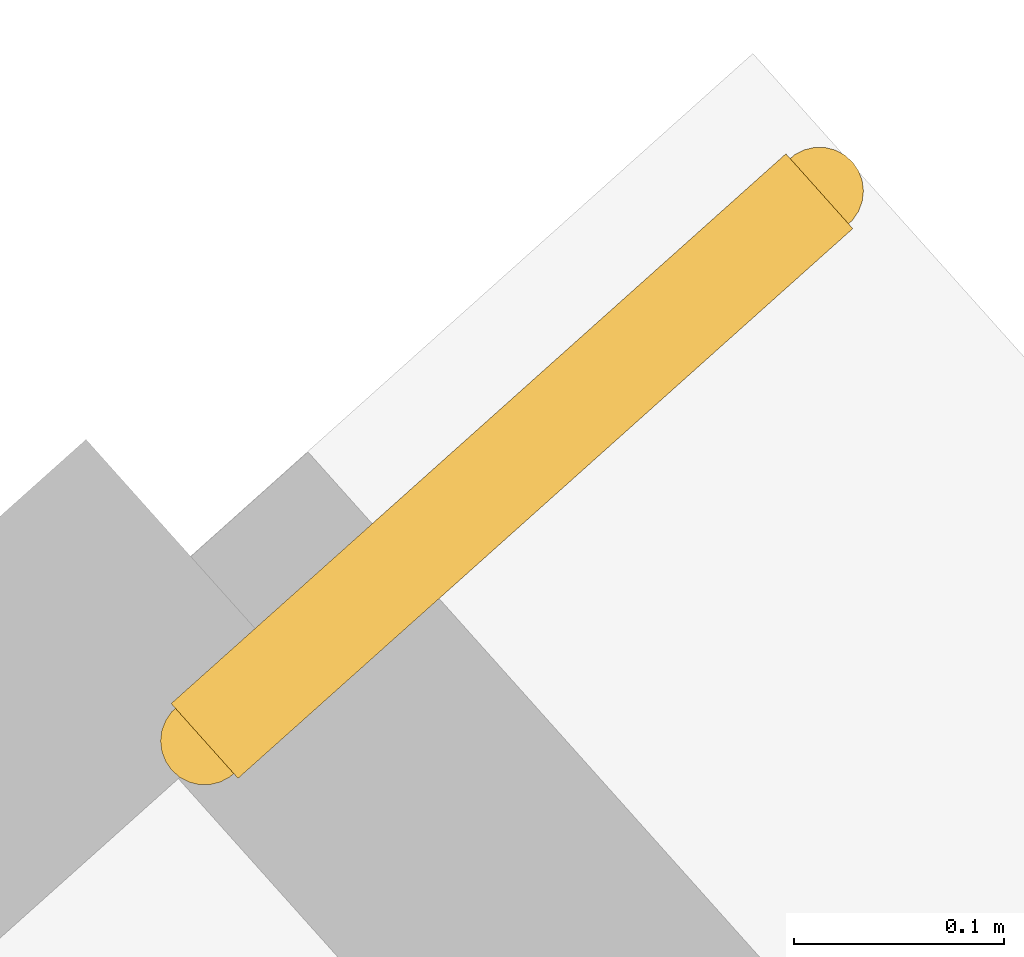
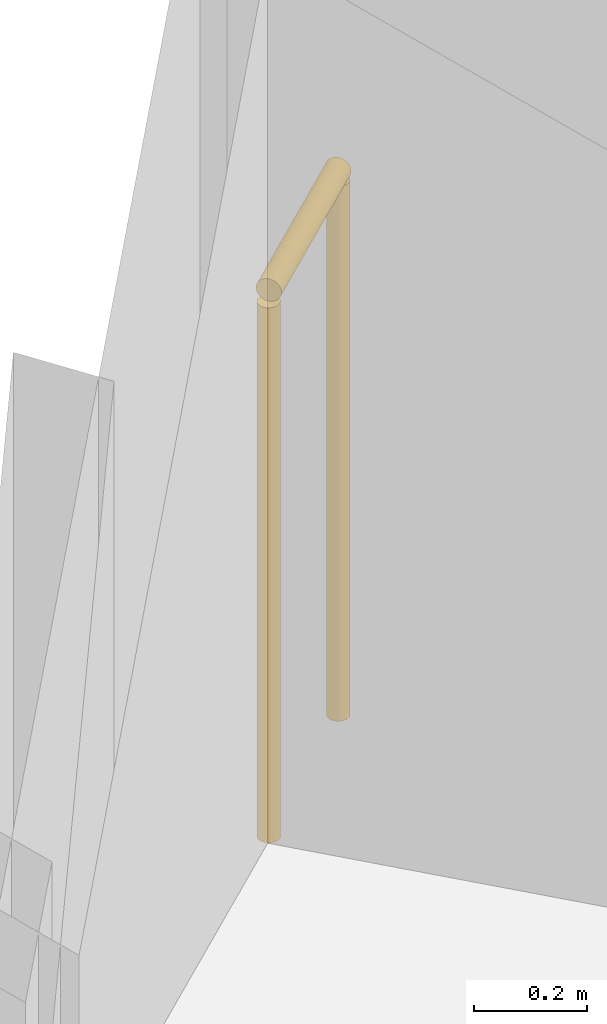
# One storey, part 14 of 14: 1 railing.
"""IFC4 building model written with IfcOpenShell, lengths in metres."""

from ifc_helpers import new_model, si_unit, direction, frame, origin, origin_2d, place, context, subcontext, project, spatial, circle, extrude, material, layer, layer_set, type_object, element, save


model = new_model("IFC4")

# Units and contexts
model_context = context("Model", 3, precision=1e-05, world=origin(), true_north=direction((0.0, 1.0)))
body_context = subcontext(model_context, "Body", "Model", "MODEL_VIEW")
ifc_project = project(units=[si_unit("LENGTHUNIT", "METRE"), si_unit("AREAUNIT", "SQUARE_METRE"), si_unit("VOLUMEUNIT", "CUBIC_METRE"), si_unit("PLANEANGLEUNIT", "RADIAN"), si_unit("MASSUNIT", "GRAM", prefix="KILO")], contexts=[model_context])

# Site, building, storey
site_placement = place(None, origin())
site = spatial("IfcSite", under=ifc_project, at=site_placement, CompositionType="ELEMENT")
building_placement = place(site_placement, origin())
building = spatial("IfcBuilding", under=site, at=building_placement, Name="Gaonmaruhae Medical Tower", CompositionType="ELEMENT")
storey_placement = place(building_placement, frame((0.0, 0.0, 201.800048828125)))
storey = spatial("IfcBuildingStorey", under=building, at=storey_placement, Name="L48", CompositionType="ELEMENT", Elevation=201.800048828125)

# Railing
ifc_material = material(Name="Stainless steel 316L and laminated safety glass", Category="steel")
ifc_layer = layer(ifc_material, 0.080078125)
ifc_layer_set = layer_set([ifc_layer], Name="Stainless steel 316L and laminated safety glass")
railing_type = type_object("IfcRailingType", Name="GD-120 Outdoor Terrace Safety Glass & Steel Balustrade", PredefinedType="BALUSTRADE", material=ifc_layer_set)
railing_placement = place(storey_placement, frame((52.16650390625, 38.22119140625, 0.0)))
element("IfcRailing", 1, at=railing_placement, inside=storey, type_object=railing_type, Name="L48 Perimeter Slab Edge Safety Balustrade 01", PredefinedType="BALUSTRADE", context=body_context, shape_type="SweptSolid", body=[
    extrude(circle(Radius=0.02392578125, at=origin_2d()), frame((0.0, 0.0, 1.17578125), z_axis=(0.745419847633, 0.666595267576, 0.0), x_axis=(-0.666595267576, 0.745419847633, 0.0)), (0.0, 0.0, 1.0), 0.393310546875),
    extrude(circle(Radius=0.02099609375, at=origin_2d()), origin(), (0.0, 0.0, 1.0), 1.15185546875),
    extrude(circle(Radius=0.02099609375, at=origin_2d()), frame((0.293212890625, 0.26220703125, 0.0)), (0.0, 0.0, 1.0), 1.15185546875),
])

save(model, "model.ifc")
